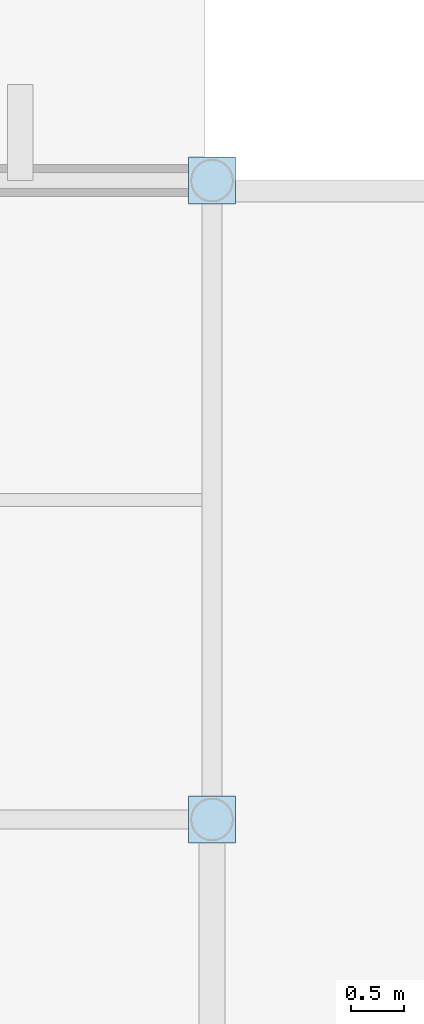
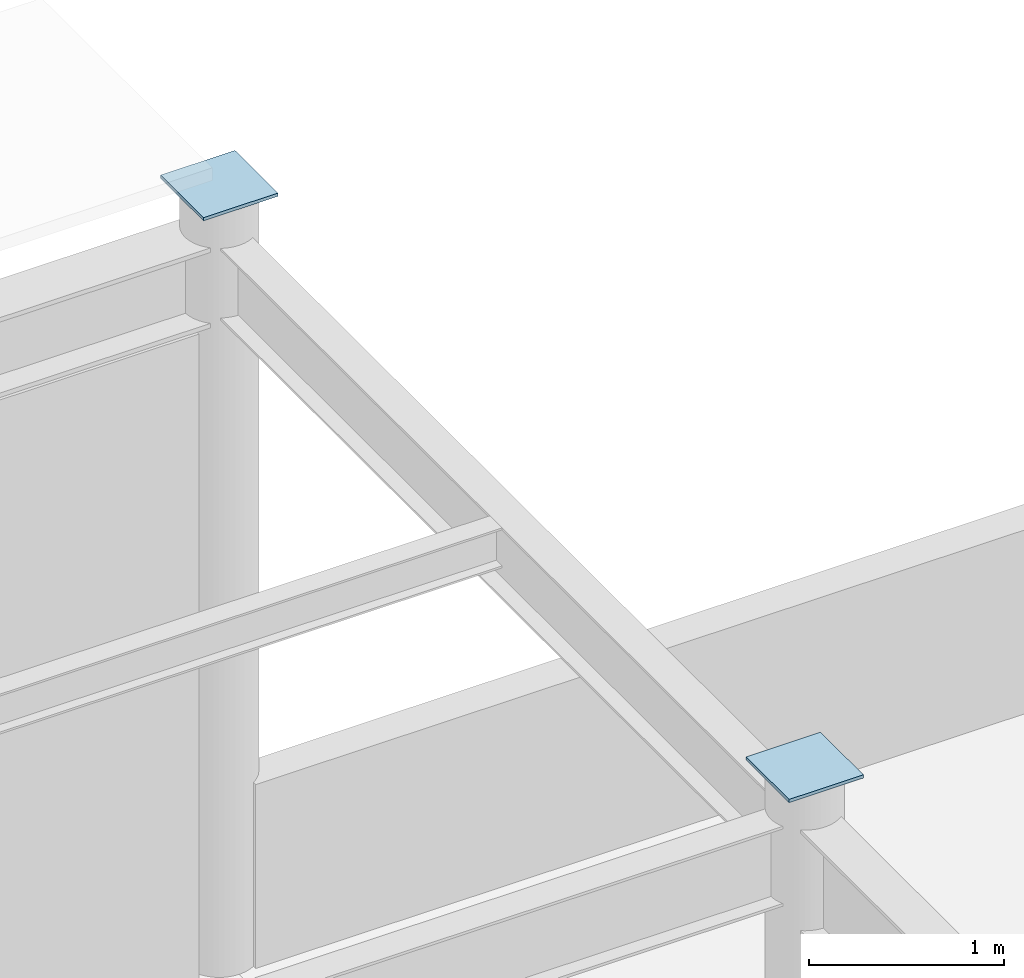
# One storey, part 101 of 126: 2 plates.
"""IFC4 building model written with IfcOpenShell, lengths in metres."""

from ifc_helpers import new_model, si_unit, direction, frame, origin, origin_2d, place, context, subcontext, project, spatial, rectangle, extrude, material, layer, layer_set, type_object, element, save


model = new_model("IFC4")

# Units and contexts
model_context = context("Model", 3, precision=1e-05, world=origin(), true_north=direction((0.0, 1.0)))
body_context = subcontext(model_context, "Body", "Model", "MODEL_VIEW")
ifc_project = project(units=[si_unit("LENGTHUNIT", "METRE"), si_unit("AREAUNIT", "SQUARE_METRE"), si_unit("VOLUMEUNIT", "CUBIC_METRE"), si_unit("PLANEANGLEUNIT", "RADIAN"), si_unit("MASSUNIT", "GRAM", prefix="KILO")], contexts=[model_context])

# Site, building, storey
site_placement = place(None, origin())
site = spatial("IfcSite", under=ifc_project, at=site_placement, CompositionType="ELEMENT")
building_placement = place(site_placement, origin())
building = spatial("IfcBuilding", under=site, at=building_placement, Name="Solvadek Multi-Sports Hall", CompositionType="ELEMENT")
storey_placement = place(building_placement, frame((0.0, 0.0, 9.60009765625)))
storey = spatial("IfcBuildingStorey", under=building, at=storey_placement, Name="L02", CompositionType="ELEMENT", Elevation=9.60009765625)

# Plates
ifc_material = material(Name="Steel E350 (350 MPa)", Category="steel")
ifc_layer = layer(ifc_material, 0.02001953125, Name="Steel E350 (350 MPa)")
ifc_layer_set = layer_set([ifc_layer], Name="Steel E350 (350 MPa)")
plate_type = type_object("IfcPlateType", Name="STR-PLT-CAP440", PredefinedType="USERDEFINED", material=ifc_layer_set)
for number, where, z_axis, x_axis, name in (
    (1, (72.0, 104.39990234375, 4.7998046875), (0.0, 0.0, 1.0), (1.0, 0.0, 0.0), "Hollow Column End Cap #157"),
    (2, (72.0, 110.39990234375, 4.7998046875), (0.0, 0.0, 1.0), (1.0, 0.0, 0.0), "Hollow Column End Cap #159"),
):
    element("IfcPlate", number, at=place(storey_placement, frame(where, z_axis=z_axis, x_axis=x_axis)), inside=storey, type_object=plate_type, Name=name, ObjectType="BASE_PLATE", PredefinedType="USERDEFINED", context=body_context, shape_type="SweptSolid", body=[
        extrude(rectangle(XDim=0.43994140625, YDim=0.43994140625, at=origin_2d()), origin(), (0.0, 0.0, 1.0), 0.02001953125),
    ])

save(model, "model.ifc")
